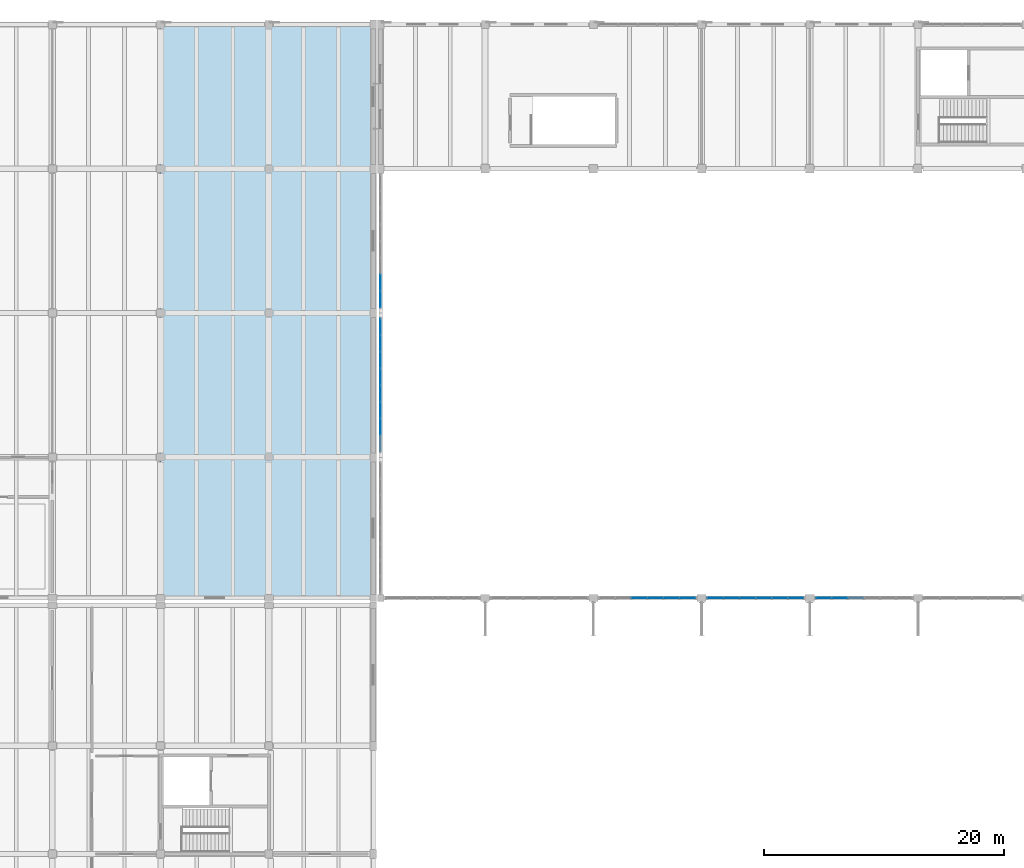
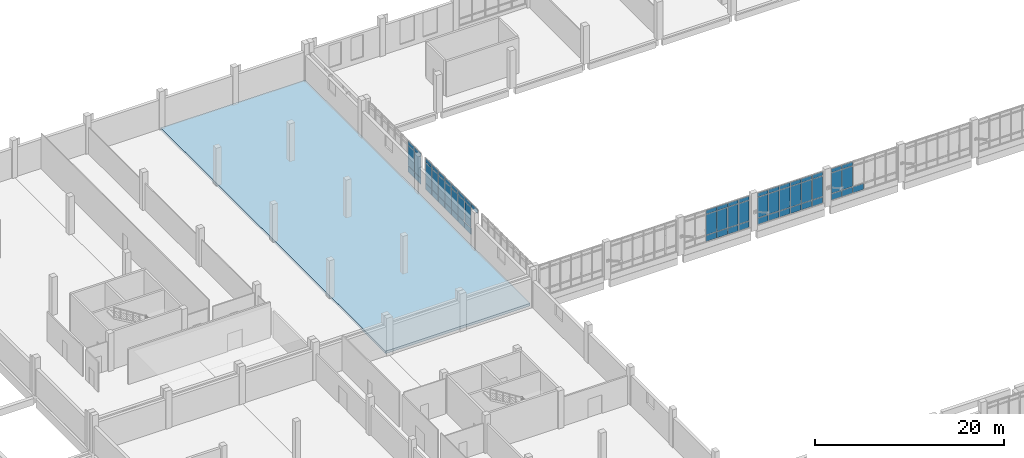
# One storey, part 60 of 110: 65 plates, 1 slab, 5 elements without a shape of their own.
"""IFC4 building model written with IfcOpenShell, lengths in metres."""

from ifc_helpers import new_model, si_unit, direction, frame, origin, origin_2d, place, context, subcontext, project, spatial, polyline, rectangle, outline, extrude, material, layer, layer_set, type_object, element, aggregate, save


model = new_model("IFC4")

# Units and contexts
model_context = context("Model", 3, precision=1e-05, world=origin(), true_north=direction((0.0, 1.0)))
body_context = subcontext(model_context, "Body", "Model", "MODEL_VIEW")
ifc_project = project(units=[si_unit("LENGTHUNIT", "METRE"), si_unit("AREAUNIT", "SQUARE_METRE"), si_unit("VOLUMEUNIT", "CUBIC_METRE"), si_unit("PLANEANGLEUNIT", "RADIAN"), si_unit("MASSUNIT", "GRAM", prefix="KILO")], contexts=[model_context])

# Site, building, storey
site_placement = place(None, origin())
site = spatial("IfcSite", under=ifc_project, at=site_placement, CompositionType="ELEMENT")
building_placement = place(site_placement, origin())
building = spatial("IfcBuilding", under=site, at=building_placement, Name="Zacnel Wholesale Market", CompositionType="ELEMENT")
storey_placement = place(building_placement, frame((0.0, 0.0, 6.300048828125)))
storey = spatial("IfcBuildingStorey", under=building, at=storey_placement, Name="L02", CompositionType="ELEMENT", Elevation=6.300048828125)

# Curtain wall, plates
ifc_material_1 = material(Name="Anodised aluminium", Category="aluminium")
ifc_layer_1 = layer(ifc_material_1, 0.159912109375)
ifc_layer_set_1 = layer_set([ifc_layer_1], Name="Anodised aluminium")
curtain_wall_type = type_object("IfcCurtainWallType", Name="CW-NAVE-4200", PredefinedType="NOTDEFINED", material=ifc_layer_set_1)
curtain_wall_1_placement = place(storey_placement, origin())
curtain_wall_1 = element("IfcCurtainWall", 1, at=curtain_wall_1_placement, inside=storey, type_object=curtain_wall_type, Name="Curtain wall ENV-R2-CW-L02-022", PredefinedType="NOTDEFINED")
ifc_material_2 = material(Name="Laminated hurricane-impact low-E insulated glass", Category="glass")
ifc_layer_2 = layer(ifc_material_2, 0.031982421875)
ifc_layer_set_2 = layer_set([ifc_layer_2], Name="Laminated hurricane-impact low-E insulated glass")
plate_type_1 = type_object("IfcPlateType", Name="CWP-PNL-02", PredefinedType="CURTAIN_PANEL", material=ifc_layer_set_2)
plate_1_placement = place(storey_placement, frame((93.83251953125, 96.300048828125, 1.330078125), z_axis=(0.0, 0.0, 1.0), x_axis=(1.0, 0.0, 0.0)))
plate_1 = element("IfcPlate", 2, at=plate_1_placement, type_object=plate_type_1, Name="ENV-R2-CW-L02-022 panel 3-2", PredefinedType="CURTAIN_PANEL", context=body_context, shape_type="SweptSolid", body=[
    extrude(rectangle(XDim=1.264892578125, YDim=0.031982421875, at=origin_2d()), origin(), (0.0, 0.0, 1.0), 2.639892578125),
])
plate_2_placement = place(storey_placement, frame((95.16748046875, 96.300048828125, 1.330078125), z_axis=(0.0, 0.0, 1.0), x_axis=(1.0, 0.0, 0.0)))
plate_2 = element("IfcPlate", 3, at=plate_2_placement, type_object=plate_type_1, Name="ENV-R2-CW-L02-022 panel 4-2", PredefinedType="CURTAIN_PANEL", context=body_context, shape_type="SweptSolid", body=[
    extrude(rectangle(XDim=1.264892578125, YDim=0.031982421875, at=origin_2d()), origin(), (0.0, 0.0, 1.0), 2.639892578125),
])
plate_3_placement = place(storey_placement, frame((96.50244140625, 96.300048828125, 1.330078125), z_axis=(0.0, 0.0, 1.0), x_axis=(1.0, 0.0, 0.0)))
plate_3 = element("IfcPlate", 4, at=plate_3_placement, type_object=plate_type_1, Name="ENV-R2-CW-L02-022 panel 5-2", PredefinedType="CURTAIN_PANEL", context=body_context, shape_type="SweptSolid", body=[
    extrude(rectangle(XDim=1.264892578125, YDim=0.031982421875, at=origin_2d()), origin(), (0.0, 0.0, 1.0), 2.639892578125),
])
plate_4_placement = place(storey_placement, frame((97.83740234375, 96.300048828125, 1.330078125), z_axis=(0.0, 0.0, 1.0), x_axis=(1.0, 0.0, 0.0)))
plate_4 = element("IfcPlate", 5, at=plate_4_placement, type_object=plate_type_1, Name="ENV-R2-CW-L02-022 panel 6-2", PredefinedType="CURTAIN_PANEL", context=body_context, shape_type="SweptSolid", body=[
    extrude(rectangle(XDim=1.264892578125, YDim=0.031982421875, at=origin_2d()), origin(), (0.0, 0.0, 1.0), 2.639892578125),
])

curtain_wall_2_placement = place(storey_placement, origin())
curtain_wall_2 = element("IfcCurtainWall", 6, at=curtain_wall_2_placement, inside=storey, type_object=curtain_wall_type, Name="Curtain wall ENV-R2-CW-L02-023", PredefinedType="NOTDEFINED")
plate_5_placement = place(storey_placement, frame((100.16259765625, 96.300048828125, 1.330078125), z_axis=(0.0, 0.0, 1.0), x_axis=(1.0, 0.0, 0.0)))
plate_5 = element("IfcPlate", 7, at=plate_5_placement, type_object=plate_type_1, Name="ENV-R2-CW-L02-023 panel 1-2", PredefinedType="CURTAIN_PANEL", context=body_context, shape_type="SweptSolid", body=[
    extrude(rectangle(XDim=1.264892578125, YDim=0.031982421875, at=origin_2d()), origin(), (0.0, 0.0, 1.0), 2.639892578125),
])
plate_6_placement = place(storey_placement, frame((101.49755859375, 96.300048828125, 1.330078125), z_axis=(0.0, 0.0, 1.0), x_axis=(1.0, 0.0, 0.0)))
plate_6 = element("IfcPlate", 8, at=plate_6_placement, type_object=plate_type_1, Name="ENV-R2-CW-L02-023 panel 2-2", PredefinedType="CURTAIN_PANEL", context=body_context, shape_type="SweptSolid", body=[
    extrude(rectangle(XDim=1.264892578125, YDim=0.031982421875, at=origin_2d()), origin(), (0.0, 0.0, 1.0), 2.639892578125),
])
plate_7_placement = place(storey_placement, frame((102.83251953125, 96.300048828125, 1.330078125), z_axis=(0.0, 0.0, 1.0), x_axis=(1.0, 0.0, 0.0)))
plate_7 = element("IfcPlate", 9, at=plate_7_placement, type_object=plate_type_1, Name="ENV-R2-CW-L02-023 panel 3-2", PredefinedType="CURTAIN_PANEL", context=body_context, shape_type="SweptSolid", body=[
    extrude(rectangle(XDim=1.264892578125, YDim=0.031982421875, at=origin_2d()), origin(), (0.0, 0.0, 1.0), 2.639892578125),
])
plate_8_placement = place(storey_placement, frame((104.16748046875, 96.300048828125, 1.330078125), z_axis=(0.0, 0.0, 1.0), x_axis=(1.0, 0.0, 0.0)))
plate_8 = element("IfcPlate", 10, at=plate_8_placement, type_object=plate_type_1, Name="ENV-R2-CW-L02-023 panel 4-2", PredefinedType="CURTAIN_PANEL", context=body_context, shape_type="SweptSolid", body=[
    extrude(rectangle(XDim=1.264892578125, YDim=0.031982421875, at=origin_2d()), origin(), (0.0, 0.0, 1.0), 2.639892578125),
])
plate_9_placement = place(storey_placement, frame((105.50244140625, 96.300048828125, 1.330078125), z_axis=(0.0, 0.0, 1.0), x_axis=(1.0, 0.0, 0.0)))
plate_9 = element("IfcPlate", 11, at=plate_9_placement, type_object=plate_type_1, Name="ENV-R2-CW-L02-023 panel 5-2", PredefinedType="CURTAIN_PANEL", context=body_context, shape_type="SweptSolid", body=[
    extrude(rectangle(XDim=1.264892578125, YDim=0.031982421875, at=origin_2d()), origin(), (0.0, 0.0, 1.0), 2.639892578125),
])
plate_10_placement = place(storey_placement, frame((106.83740234375, 96.300048828125, 1.330078125), z_axis=(0.0, 0.0, 1.0), x_axis=(1.0, 0.0, 0.0)))
plate_10 = element("IfcPlate", 12, at=plate_10_placement, type_object=plate_type_1, Name="ENV-R2-CW-L02-023 panel 6-2", PredefinedType="CURTAIN_PANEL", context=body_context, shape_type="SweptSolid", body=[
    extrude(rectangle(XDim=1.264892578125, YDim=0.031982421875, at=origin_2d()), origin(), (0.0, 0.0, 1.0), 2.639892578125),
])

curtain_wall_3_placement = place(storey_placement, origin())
curtain_wall_3 = element("IfcCurtainWall", 13, at=curtain_wall_3_placement, inside=storey, type_object=curtain_wall_type, Name="Curtain wall ENV-R2-CW-L02-024", PredefinedType="NOTDEFINED")
plate_11_placement = place(storey_placement, frame((109.16259765625, 96.300048828125, 1.330078125), z_axis=(0.0, 0.0, 1.0), x_axis=(1.0, 0.0, 0.0)))
plate_11 = element("IfcPlate", 14, at=plate_11_placement, type_object=plate_type_1, Name="ENV-R2-CW-L02-024 panel 1-2", PredefinedType="CURTAIN_PANEL", context=body_context, shape_type="SweptSolid", body=[
    extrude(rectangle(XDim=1.264892578125, YDim=0.031982421875, at=origin_2d()), origin(), (0.0, 0.0, 1.0), 2.639892578125),
])
plate_12_placement = place(storey_placement, frame((110.49755859375, 96.300048828125, 1.330078125), z_axis=(0.0, 0.0, 1.0), x_axis=(1.0, 0.0, 0.0)))
plate_12 = element("IfcPlate", 15, at=plate_12_placement, type_object=plate_type_1, Name="ENV-R2-CW-L02-024 panel 2-2", PredefinedType="CURTAIN_PANEL", context=body_context, shape_type="SweptSolid", body=[
    extrude(rectangle(XDim=1.264892578125, YDim=0.031982421875, at=origin_2d()), origin(), (0.0, 0.0, 1.0), 2.639892578125),
])

curtain_wall_4_placement = place(storey_placement, origin())
curtain_wall_4 = element("IfcCurtainWall", 16, at=curtain_wall_4_placement, inside=storey, type_object=curtain_wall_type, Name="Curtain wall ENV-R2-CW-L02-030", PredefinedType="NOTDEFINED")
plate_13_placement = place(storey_placement, frame((72.300048828125, 110.53125, 1.330078125), z_axis=(0.0, 0.0, 1.0), x_axis=(0.0, 1.0, 0.0)))
plate_13 = element("IfcPlate", 17, at=plate_13_placement, type_object=plate_type_1, Name="ENV-R2-CW-L02-030 panel 2-2", PredefinedType="CURTAIN_PANEL", context=body_context, shape_type="SweptSolid", body=[
    extrude(rectangle(XDim=1.3173828125, YDim=0.031982421875, at=origin_2d()), origin(), (0.0, 0.0, 1.0), 2.639892578125),
])
plate_14_placement = place(storey_placement, frame((72.300048828125, 111.918701171875, 1.330078125), z_axis=(0.0, 0.0, 1.0), x_axis=(0.0, 1.0, 0.0)))
plate_14 = element("IfcPlate", 18, at=plate_14_placement, type_object=plate_type_1, Name="ENV-R2-CW-L02-030 panel 3-2", PredefinedType="CURTAIN_PANEL", context=body_context, shape_type="SweptSolid", body=[
    extrude(rectangle(XDim=1.3173828125, YDim=0.031982421875, at=origin_2d()), origin(), (0.0, 0.0, 1.0), 2.639892578125),
])
plate_15_placement = place(storey_placement, frame((72.300048828125, 113.306396484375, 1.330078125), z_axis=(0.0, 0.0, 1.0), x_axis=(0.0, 1.0, 0.0)))
plate_15 = element("IfcPlate", 19, at=plate_15_placement, type_object=plate_type_1, Name="ENV-R2-CW-L02-030 panel 4-2", PredefinedType="CURTAIN_PANEL", context=body_context, shape_type="SweptSolid", body=[
    extrude(rectangle(XDim=1.3173828125, YDim=0.031982421875, at=origin_2d()), origin(), (0.0, 0.0, 1.0), 2.639892578125),
])
plate_16_placement = place(storey_placement, frame((72.300048828125, 114.693603515625, 1.330078125), z_axis=(0.0, 0.0, 1.0), x_axis=(0.0, 1.0, 0.0)))
plate_16 = element("IfcPlate", 20, at=plate_16_placement, type_object=plate_type_1, Name="ENV-R2-CW-L02-030 panel 5-2", PredefinedType="CURTAIN_PANEL", context=body_context, shape_type="SweptSolid", body=[
    extrude(rectangle(XDim=1.3173828125, YDim=0.031982421875, at=origin_2d()), origin(), (0.0, 0.0, 1.0), 2.639892578125),
])
plate_17_placement = place(storey_placement, frame((72.300048828125, 116.081298828125, 1.330078125), z_axis=(0.0, 0.0, 1.0), x_axis=(0.0, 1.0, 0.0)))
plate_17 = element("IfcPlate", 21, at=plate_17_placement, type_object=plate_type_1, Name="ENV-R2-CW-L02-030 panel 6-2", PredefinedType="CURTAIN_PANEL", context=body_context, shape_type="SweptSolid", body=[
    extrude(rectangle(XDim=1.3173828125, YDim=0.031982421875, at=origin_2d()), origin(), (0.0, 0.0, 1.0), 2.639892578125),
])
plate_18_placement = place(storey_placement, frame((72.300048828125, 117.46875, 1.330078125), z_axis=(0.0, 0.0, 1.0), x_axis=(0.0, 1.0, 0.0)))
plate_18 = element("IfcPlate", 22, at=plate_18_placement, type_object=plate_type_1, Name="ENV-R2-CW-L02-030 panel 7-2", PredefinedType="CURTAIN_PANEL", context=body_context, shape_type="SweptSolid", body=[
    extrude(rectangle(XDim=1.3173828125, YDim=0.031982421875, at=origin_2d()), origin(), (0.0, 0.0, 1.0), 2.639892578125),
])
plate_19_placement = place(storey_placement, frame((72.300048828125, 118.856201171875, 1.330078125), z_axis=(0.0, 0.0, 1.0), x_axis=(0.0, 1.0, 0.0)))
plate_19 = element("IfcPlate", 23, at=plate_19_placement, type_object=plate_type_1, Name="ENV-R2-CW-L02-030 panel 8-2", PredefinedType="CURTAIN_PANEL", context=body_context, shape_type="SweptSolid", body=[
    extrude(rectangle(XDim=1.3173828125, YDim=0.031982421875, at=origin_2d()), origin(), (0.0, 0.0, 1.0), 2.639892578125),
])

curtain_wall_5_placement = place(storey_placement, origin())
curtain_wall_5 = element("IfcCurtainWall", 24, at=curtain_wall_5_placement, inside=storey, type_object=curtain_wall_type, Name="Curtain wall ENV-R2-CW-L02-031", PredefinedType="NOTDEFINED")
plate_20_placement = place(storey_placement, frame((72.300048828125, 121.14111328125, 1.330078125), z_axis=(0.0, 0.0, 1.0), x_axis=(0.0, 1.0, 0.0)))
plate_20 = element("IfcPlate", 25, at=plate_20_placement, type_object=plate_type_1, Name="ENV-R2-CW-L02-031 panel 1-2", PredefinedType="CURTAIN_PANEL", context=body_context, shape_type="SweptSolid", body=[
    extrude(rectangle(XDim=1.31201171875, YDim=0.031982421875, at=origin_2d()), origin(), (0.0, 0.0, 1.0), 2.639892578125),
])
plate_21_placement = place(storey_placement, frame((72.300048828125, 122.52294921875, 1.330078125), z_axis=(0.0, 0.0, 1.0), x_axis=(0.0, 1.0, 0.0)))
plate_21 = element("IfcPlate", 26, at=plate_21_placement, type_object=plate_type_1, Name="ENV-R2-CW-L02-031 panel 2-2", PredefinedType="CURTAIN_PANEL", context=body_context, shape_type="SweptSolid", body=[
    extrude(rectangle(XDim=1.31201171875, YDim=0.031982421875, at=origin_2d()), origin(), (0.0, 0.0, 1.0), 2.639892578125),
])

# Plate
ifc_material_3 = material(Name="Anodised aluminium", Category="aluminium")
ifc_layer_3 = layer(ifc_material_3, 0.0400390625)
ifc_layer_set_3 = layer_set([ifc_layer_3], Name="Anodised aluminium")
plate_type_2 = type_object("IfcPlateType", Name="CWP-PNL-05", PredefinedType="CURTAIN_PANEL", material=ifc_layer_set_3)
plate_22_placement = place(storey_placement, frame((93.83251953125, 96.300048828125, 0.47998046875), z_axis=(0.0, 0.0, 1.0), x_axis=(1.0, 0.0, 0.0)))
plate_22 = element("IfcPlate", 27, at=plate_22_placement, type_object=plate_type_2, Name="ENV-R2-CW-L02-022 panel 3-1", PredefinedType="CURTAIN_PANEL", context=body_context, shape_type="SweptSolid", body=[
    extrude(rectangle(XDim=1.264892578125, YDim=0.0400390625, at=origin_2d()), origin(), (0.0, 0.0, 1.0), 0.7900390625),
])

plate_23_placement = place(storey_placement, frame((93.83251953125, 96.300048828125, 4.02978515625), z_axis=(0.0, 0.0, 1.0), x_axis=(1.0, 0.0, 0.0)))
plate_23 = element("IfcPlate", 28, at=plate_23_placement, type_object=plate_type_2, Name="ENV-R2-CW-L02-022 panel 3-3", PredefinedType="CURTAIN_PANEL", context=body_context, shape_type="SweptSolid", body=[
    extrude(rectangle(XDim=1.264892578125, YDim=0.0400390625, at=origin_2d()), origin(), (0.0, 0.0, 1.0), 0.489990234375),
])

plate_24_placement = place(storey_placement, frame((96.50244140625, 96.300048828125, 0.47998046875), z_axis=(0.0, 0.0, 1.0), x_axis=(1.0, 0.0, 0.0)))
plate_24 = element("IfcPlate", 29, at=plate_24_placement, type_object=plate_type_2, Name="ENV-R2-CW-L02-022 panel 5-1", PredefinedType="CURTAIN_PANEL", context=body_context, shape_type="SweptSolid", body=[
    extrude(rectangle(XDim=1.264892578125, YDim=0.0400390625, at=origin_2d()), origin(), (0.0, 0.0, 1.0), 0.7900390625),
])

plate_25_placement = place(storey_placement, frame((96.50244140625, 96.300048828125, 4.02978515625), z_axis=(0.0, 0.0, 1.0), x_axis=(1.0, 0.0, 0.0)))
plate_25 = element("IfcPlate", 30, at=plate_25_placement, type_object=plate_type_2, Name="ENV-R2-CW-L02-022 panel 5-3", PredefinedType="CURTAIN_PANEL", context=body_context, shape_type="SweptSolid", body=[
    extrude(rectangle(XDim=1.264892578125, YDim=0.0400390625, at=origin_2d()), origin(), (0.0, 0.0, 1.0), 0.489990234375),
])

plate_26_placement = place(storey_placement, frame((100.16259765625, 96.300048828125, 0.47998046875), z_axis=(0.0, 0.0, 1.0), x_axis=(1.0, 0.0, 0.0)))
plate_26 = element("IfcPlate", 31, at=plate_26_placement, type_object=plate_type_2, Name="ENV-R2-CW-L02-023 panel 1-1", PredefinedType="CURTAIN_PANEL", context=body_context, shape_type="SweptSolid", body=[
    extrude(rectangle(XDim=1.264892578125, YDim=0.0400390625, at=origin_2d()), origin(), (0.0, 0.0, 1.0), 0.7900390625),
])

plate_27_placement = place(storey_placement, frame((100.16259765625, 96.300048828125, 4.02978515625), z_axis=(0.0, 0.0, 1.0), x_axis=(1.0, 0.0, 0.0)))
plate_27 = element("IfcPlate", 32, at=plate_27_placement, type_object=plate_type_2, Name="ENV-R2-CW-L02-023 panel 1-3", PredefinedType="CURTAIN_PANEL", context=body_context, shape_type="SweptSolid", body=[
    extrude(rectangle(XDim=1.264892578125, YDim=0.0400390625, at=origin_2d()), origin(), (0.0, 0.0, 1.0), 0.489990234375),
])

plate_28_placement = place(storey_placement, frame((102.83251953125, 96.300048828125, 0.47998046875), z_axis=(0.0, 0.0, 1.0), x_axis=(1.0, 0.0, 0.0)))
plate_28 = element("IfcPlate", 33, at=plate_28_placement, type_object=plate_type_2, Name="ENV-R2-CW-L02-023 panel 3-1", PredefinedType="CURTAIN_PANEL", context=body_context, shape_type="SweptSolid", body=[
    extrude(rectangle(XDim=1.264892578125, YDim=0.0400390625, at=origin_2d()), origin(), (0.0, 0.0, 1.0), 0.7900390625),
])

plate_29_placement = place(storey_placement, frame((102.83251953125, 96.300048828125, 4.02978515625), z_axis=(0.0, 0.0, 1.0), x_axis=(1.0, 0.0, 0.0)))
plate_29 = element("IfcPlate", 34, at=plate_29_placement, type_object=plate_type_2, Name="ENV-R2-CW-L02-023 panel 3-3", PredefinedType="CURTAIN_PANEL", context=body_context, shape_type="SweptSolid", body=[
    extrude(rectangle(XDim=1.264892578125, YDim=0.0400390625, at=origin_2d()), origin(), (0.0, 0.0, 1.0), 0.489990234375),
])

plate_30_placement = place(storey_placement, frame((105.50244140625, 96.300048828125, 0.47998046875), z_axis=(0.0, 0.0, 1.0), x_axis=(1.0, 0.0, 0.0)))
plate_30 = element("IfcPlate", 35, at=plate_30_placement, type_object=plate_type_2, Name="ENV-R2-CW-L02-023 panel 5-1", PredefinedType="CURTAIN_PANEL", context=body_context, shape_type="SweptSolid", body=[
    extrude(rectangle(XDim=1.264892578125, YDim=0.0400390625, at=origin_2d()), origin(), (0.0, 0.0, 1.0), 0.7900390625),
])

plate_31_placement = place(storey_placement, frame((105.50244140625, 96.300048828125, 4.02978515625), z_axis=(0.0, 0.0, 1.0), x_axis=(1.0, 0.0, 0.0)))
plate_31 = element("IfcPlate", 36, at=plate_31_placement, type_object=plate_type_2, Name="ENV-R2-CW-L02-023 panel 5-3", PredefinedType="CURTAIN_PANEL", context=body_context, shape_type="SweptSolid", body=[
    extrude(rectangle(XDim=1.264892578125, YDim=0.0400390625, at=origin_2d()), origin(), (0.0, 0.0, 1.0), 0.489990234375),
])

plate_32_placement = place(storey_placement, frame((109.16259765625, 96.300048828125, 0.47998046875), z_axis=(0.0, 0.0, 1.0), x_axis=(1.0, 0.0, 0.0)))
plate_32 = element("IfcPlate", 37, at=plate_32_placement, type_object=plate_type_2, Name="ENV-R2-CW-L02-024 panel 1-1", PredefinedType="CURTAIN_PANEL", context=body_context, shape_type="SweptSolid", body=[
    extrude(rectangle(XDim=1.264892578125, YDim=0.0400390625, at=origin_2d()), origin(), (0.0, 0.0, 1.0), 0.7900390625),
])

plate_33_placement = place(storey_placement, frame((109.16259765625, 96.300048828125, 4.02978515625), z_axis=(0.0, 0.0, 1.0), x_axis=(1.0, 0.0, 0.0)))
plate_33 = element("IfcPlate", 38, at=plate_33_placement, type_object=plate_type_2, Name="ENV-R2-CW-L02-024 panel 1-3", PredefinedType="CURTAIN_PANEL", context=body_context, shape_type="SweptSolid", body=[
    extrude(rectangle(XDim=1.264892578125, YDim=0.0400390625, at=origin_2d()), origin(), (0.0, 0.0, 1.0), 0.489990234375),
])

plate_34_placement = place(storey_placement, frame((111.83251953125, 96.300048828125, 0.47998046875), z_axis=(0.0, 0.0, 1.0), x_axis=(1.0, 0.0, 0.0)))
plate_34 = element("IfcPlate", 39, at=plate_34_placement, type_object=plate_type_2, Name="ENV-R2-CW-L02-024 panel 3-1", PredefinedType="CURTAIN_PANEL", context=body_context, shape_type="SweptSolid", body=[
    extrude(rectangle(XDim=1.264892578125, YDim=0.0400390625, at=origin_2d()), origin(), (0.0, 0.0, 1.0), 0.7900390625),
])

plate_35_placement = place(storey_placement, frame((72.300048828125, 109.143798828125, 4.02978515625), z_axis=(0.0, 0.0, 1.0), x_axis=(0.0, 1.0, 0.0)))
plate_35 = element("IfcPlate", 40, at=plate_35_placement, type_object=plate_type_2, Name="ENV-R2-CW-L02-030 panel 1-3", PredefinedType="CURTAIN_PANEL", context=body_context, shape_type="SweptSolid", body=[
    extrude(rectangle(XDim=1.3173828125, YDim=0.0400390625, at=origin_2d()), origin(), (0.0, 0.0, 1.0), 0.489990234375),
])

plate_36_placement = place(storey_placement, frame((72.300048828125, 111.918701171875, 0.47998046875), z_axis=(0.0, 0.0, 1.0), x_axis=(0.0, 1.0, 0.0)))
plate_36 = element("IfcPlate", 41, at=plate_36_placement, type_object=plate_type_2, Name="ENV-R2-CW-L02-030 panel 3-1", PredefinedType="CURTAIN_PANEL", context=body_context, shape_type="SweptSolid", body=[
    extrude(rectangle(XDim=1.3173828125, YDim=0.0400390625, at=origin_2d()), origin(), (0.0, 0.0, 1.0), 0.7900390625),
])

plate_37_placement = place(storey_placement, frame((72.300048828125, 111.918701171875, 4.02978515625), z_axis=(0.0, 0.0, 1.0), x_axis=(0.0, 1.0, 0.0)))
plate_37 = element("IfcPlate", 42, at=plate_37_placement, type_object=plate_type_2, Name="ENV-R2-CW-L02-030 panel 3-3", PredefinedType="CURTAIN_PANEL", context=body_context, shape_type="SweptSolid", body=[
    extrude(rectangle(XDim=1.3173828125, YDim=0.0400390625, at=origin_2d()), origin(), (0.0, 0.0, 1.0), 0.489990234375),
])

plate_38_placement = place(storey_placement, frame((72.300048828125, 114.693603515625, 0.47998046875), z_axis=(0.0, 0.0, 1.0), x_axis=(0.0, 1.0, 0.0)))
plate_38 = element("IfcPlate", 43, at=plate_38_placement, type_object=plate_type_2, Name="ENV-R2-CW-L02-030 panel 5-1", PredefinedType="CURTAIN_PANEL", context=body_context, shape_type="SweptSolid", body=[
    extrude(rectangle(XDim=1.3173828125, YDim=0.0400390625, at=origin_2d()), origin(), (0.0, 0.0, 1.0), 0.7900390625),
])

plate_39_placement = place(storey_placement, frame((72.300048828125, 114.693603515625, 4.02978515625), z_axis=(0.0, 0.0, 1.0), x_axis=(0.0, 1.0, 0.0)))
plate_39 = element("IfcPlate", 44, at=plate_39_placement, type_object=plate_type_2, Name="ENV-R2-CW-L02-030 panel 5-3", PredefinedType="CURTAIN_PANEL", context=body_context, shape_type="SweptSolid", body=[
    extrude(rectangle(XDim=1.3173828125, YDim=0.0400390625, at=origin_2d()), origin(), (0.0, 0.0, 1.0), 0.489990234375),
])

plate_40_placement = place(storey_placement, frame((72.300048828125, 117.46875, 0.47998046875), z_axis=(0.0, 0.0, 1.0), x_axis=(0.0, 1.0, 0.0)))
plate_40 = element("IfcPlate", 45, at=plate_40_placement, type_object=plate_type_2, Name="ENV-R2-CW-L02-030 panel 7-1", PredefinedType="CURTAIN_PANEL", context=body_context, shape_type="SweptSolid", body=[
    extrude(rectangle(XDim=1.3173828125, YDim=0.0400390625, at=origin_2d()), origin(), (0.0, 0.0, 1.0), 0.7900390625),
])

plate_41_placement = place(storey_placement, frame((72.300048828125, 117.46875, 4.02978515625), z_axis=(0.0, 0.0, 1.0), x_axis=(0.0, 1.0, 0.0)))
plate_41 = element("IfcPlate", 46, at=plate_41_placement, type_object=plate_type_2, Name="ENV-R2-CW-L02-030 panel 7-3", PredefinedType="CURTAIN_PANEL", context=body_context, shape_type="SweptSolid", body=[
    extrude(rectangle(XDim=1.3173828125, YDim=0.0400390625, at=origin_2d()), origin(), (0.0, 0.0, 1.0), 0.489990234375),
])

plate_42_placement = place(storey_placement, frame((72.300048828125, 121.14111328125, 0.47998046875), z_axis=(0.0, 0.0, 1.0), x_axis=(0.0, 1.0, 0.0)))
plate_42 = element("IfcPlate", 47, at=plate_42_placement, type_object=plate_type_2, Name="ENV-R2-CW-L02-031 panel 1-1", PredefinedType="CURTAIN_PANEL", context=body_context, shape_type="SweptSolid", body=[
    extrude(rectangle(XDim=1.31201171875, YDim=0.0400390625, at=origin_2d()), origin(), (0.0, 0.0, 1.0), 0.7900390625),
])

plate_43_placement = place(storey_placement, frame((72.300048828125, 121.14111328125, 4.02978515625), z_axis=(0.0, 0.0, 1.0), x_axis=(0.0, 1.0, 0.0)))
plate_43 = element("IfcPlate", 48, at=plate_43_placement, type_object=plate_type_2, Name="ENV-R2-CW-L02-031 panel 1-3", PredefinedType="CURTAIN_PANEL", context=body_context, shape_type="SweptSolid", body=[
    extrude(rectangle(XDim=1.31201171875, YDim=0.0400390625, at=origin_2d()), origin(), (0.0, 0.0, 1.0), 0.489990234375),
])

ifc_material_4 = material(Name="Honed Yucatan Maya cream limestone", Category="masonry")
ifc_layer_4 = layer(ifc_material_4, 0.044921875)
ifc_layer_set_4 = layer_set([ifc_layer_4], Name="Honed Yucatan Maya cream limestone")
plate_type_3 = type_object("IfcPlateType", Name="CWP-PNL-06", PredefinedType="CURTAIN_PANEL", material=ifc_layer_set_4)
plate_44_placement = place(storey_placement, frame((95.16748046875, 96.300048828125, 0.47998046875), z_axis=(0.0, 0.0, 1.0), x_axis=(1.0, 0.0, 0.0)))
plate_44 = element("IfcPlate", 49, at=plate_44_placement, type_object=plate_type_3, Name="ENV-R2-CW-L02-022 panel 4-1", PredefinedType="CURTAIN_PANEL", context=body_context, shape_type="SweptSolid", body=[
    extrude(rectangle(XDim=1.264892578125, YDim=0.044921875, at=origin_2d()), origin(), (0.0, 0.0, 1.0), 0.7900390625),
])

plate_45_placement = place(storey_placement, frame((95.16748046875, 96.300048828125, 4.02978515625), z_axis=(0.0, 0.0, 1.0), x_axis=(1.0, 0.0, 0.0)))
plate_45 = element("IfcPlate", 50, at=plate_45_placement, type_object=plate_type_3, Name="ENV-R2-CW-L02-022 panel 4-3", PredefinedType="CURTAIN_PANEL", context=body_context, shape_type="SweptSolid", body=[
    extrude(rectangle(XDim=1.264892578125, YDim=0.044921875, at=origin_2d()), origin(), (0.0, 0.0, 1.0), 0.489990234375),
])

plate_46_placement = place(storey_placement, frame((97.83740234375, 96.300048828125, 0.47998046875), z_axis=(0.0, 0.0, 1.0), x_axis=(1.0, 0.0, 0.0)))
plate_46 = element("IfcPlate", 51, at=plate_46_placement, type_object=plate_type_3, Name="ENV-R2-CW-L02-022 panel 6-1", PredefinedType="CURTAIN_PANEL", context=body_context, shape_type="SweptSolid", body=[
    extrude(rectangle(XDim=1.264892578125, YDim=0.044921875, at=origin_2d()), origin(), (0.0, 0.0, 1.0), 0.7900390625),
])

plate_47_placement = place(storey_placement, frame((97.83740234375, 96.300048828125, 4.02978515625), z_axis=(0.0, 0.0, 1.0), x_axis=(1.0, 0.0, 0.0)))
plate_47 = element("IfcPlate", 52, at=plate_47_placement, type_object=plate_type_3, Name="ENV-R2-CW-L02-022 panel 6-3", PredefinedType="CURTAIN_PANEL", context=body_context, shape_type="SweptSolid", body=[
    extrude(rectangle(XDim=1.264892578125, YDim=0.044921875, at=origin_2d()), origin(), (0.0, 0.0, 1.0), 0.489990234375),
])

aggregate(curtain_wall_1, [plate_22, plate_1, plate_23, plate_44, plate_2, plate_45, plate_24, plate_3, plate_25, plate_46, plate_4, plate_47])

plate_48_placement = place(storey_placement, frame((101.49755859375, 96.300048828125, 0.47998046875), z_axis=(0.0, 0.0, 1.0), x_axis=(1.0, 0.0, 0.0)))
plate_48 = element("IfcPlate", 53, at=plate_48_placement, type_object=plate_type_3, Name="ENV-R2-CW-L02-023 panel 2-1", PredefinedType="CURTAIN_PANEL", context=body_context, shape_type="SweptSolid", body=[
    extrude(rectangle(XDim=1.264892578125, YDim=0.044921875, at=origin_2d()), origin(), (0.0, 0.0, 1.0), 0.7900390625),
])

plate_49_placement = place(storey_placement, frame((101.49755859375, 96.300048828125, 4.02978515625), z_axis=(0.0, 0.0, 1.0), x_axis=(1.0, 0.0, 0.0)))
plate_49 = element("IfcPlate", 54, at=plate_49_placement, type_object=plate_type_3, Name="ENV-R2-CW-L02-023 panel 2-3", PredefinedType="CURTAIN_PANEL", context=body_context, shape_type="SweptSolid", body=[
    extrude(rectangle(XDim=1.264892578125, YDim=0.044921875, at=origin_2d()), origin(), (0.0, 0.0, 1.0), 0.489990234375),
])

plate_50_placement = place(storey_placement, frame((104.16748046875, 96.300048828125, 0.47998046875), z_axis=(0.0, 0.0, 1.0), x_axis=(1.0, 0.0, 0.0)))
plate_50 = element("IfcPlate", 55, at=plate_50_placement, type_object=plate_type_3, Name="ENV-R2-CW-L02-023 panel 4-1", PredefinedType="CURTAIN_PANEL", context=body_context, shape_type="SweptSolid", body=[
    extrude(rectangle(XDim=1.264892578125, YDim=0.044921875, at=origin_2d()), origin(), (0.0, 0.0, 1.0), 0.7900390625),
])

plate_51_placement = place(storey_placement, frame((104.16748046875, 96.300048828125, 4.02978515625), z_axis=(0.0, 0.0, 1.0), x_axis=(1.0, 0.0, 0.0)))
plate_51 = element("IfcPlate", 56, at=plate_51_placement, type_object=plate_type_3, Name="ENV-R2-CW-L02-023 panel 4-3", PredefinedType="CURTAIN_PANEL", context=body_context, shape_type="SweptSolid", body=[
    extrude(rectangle(XDim=1.264892578125, YDim=0.044921875, at=origin_2d()), origin(), (0.0, 0.0, 1.0), 0.489990234375),
])

plate_52_placement = place(storey_placement, frame((106.83740234375, 96.300048828125, 0.47998046875), z_axis=(0.0, 0.0, 1.0), x_axis=(1.0, 0.0, 0.0)))
plate_52 = element("IfcPlate", 57, at=plate_52_placement, type_object=plate_type_3, Name="ENV-R2-CW-L02-023 panel 6-1", PredefinedType="CURTAIN_PANEL", context=body_context, shape_type="SweptSolid", body=[
    extrude(rectangle(XDim=1.264892578125, YDim=0.044921875, at=origin_2d()), origin(), (0.0, 0.0, 1.0), 0.7900390625),
])

plate_53_placement = place(storey_placement, frame((106.83740234375, 96.300048828125, 4.02978515625), z_axis=(0.0, 0.0, 1.0), x_axis=(1.0, 0.0, 0.0)))
plate_53 = element("IfcPlate", 58, at=plate_53_placement, type_object=plate_type_3, Name="ENV-R2-CW-L02-023 panel 6-3", PredefinedType="CURTAIN_PANEL", context=body_context, shape_type="SweptSolid", body=[
    extrude(rectangle(XDim=1.264892578125, YDim=0.044921875, at=origin_2d()), origin(), (0.0, 0.0, 1.0), 0.489990234375),
])

aggregate(curtain_wall_2, [plate_26, plate_5, plate_27, plate_48, plate_6, plate_49, plate_28, plate_7, plate_29, plate_50, plate_8, plate_51, plate_30, plate_9, plate_31, plate_52, plate_10, plate_53])

plate_54_placement = place(storey_placement, frame((110.49755859375, 96.300048828125, 0.47998046875), z_axis=(0.0, 0.0, 1.0), x_axis=(1.0, 0.0, 0.0)))
plate_54 = element("IfcPlate", 59, at=plate_54_placement, type_object=plate_type_3, Name="ENV-R2-CW-L02-024 panel 2-1", PredefinedType="CURTAIN_PANEL", context=body_context, shape_type="SweptSolid", body=[
    extrude(rectangle(XDim=1.264892578125, YDim=0.044921875, at=origin_2d()), origin(), (0.0, 0.0, 1.0), 0.7900390625),
])

plate_55_placement = place(storey_placement, frame((110.49755859375, 96.300048828125, 4.02978515625), z_axis=(0.0, 0.0, 1.0), x_axis=(1.0, 0.0, 0.0)))
plate_55 = element("IfcPlate", 60, at=plate_55_placement, type_object=plate_type_3, Name="ENV-R2-CW-L02-024 panel 2-3", PredefinedType="CURTAIN_PANEL", context=body_context, shape_type="SweptSolid", body=[
    extrude(rectangle(XDim=1.264892578125, YDim=0.044921875, at=origin_2d()), origin(), (0.0, 0.0, 1.0), 0.489990234375),
])

aggregate(curtain_wall_3, [plate_32, plate_11, plate_33, plate_54, plate_12, plate_55, plate_34])

plate_56_placement = place(storey_placement, frame((72.300048828125, 110.53125, 0.47998046875), z_axis=(0.0, 0.0, 1.0), x_axis=(0.0, 1.0, 0.0)))
plate_56 = element("IfcPlate", 61, at=plate_56_placement, type_object=plate_type_3, Name="ENV-R2-CW-L02-030 panel 2-1", PredefinedType="CURTAIN_PANEL", context=body_context, shape_type="SweptSolid", body=[
    extrude(rectangle(XDim=1.3173828125, YDim=0.044921875, at=origin_2d()), origin(), (0.0, 0.0, 1.0), 0.7900390625),
])

plate_57_placement = place(storey_placement, frame((72.300048828125, 110.53125, 4.02978515625), z_axis=(0.0, 0.0, 1.0), x_axis=(0.0, 1.0, 0.0)))
plate_57 = element("IfcPlate", 62, at=plate_57_placement, type_object=plate_type_3, Name="ENV-R2-CW-L02-030 panel 2-3", PredefinedType="CURTAIN_PANEL", context=body_context, shape_type="SweptSolid", body=[
    extrude(rectangle(XDim=1.3173828125, YDim=0.044921875, at=origin_2d()), origin(), (0.0, 0.0, 1.0), 0.489990234375),
])

plate_58_placement = place(storey_placement, frame((72.300048828125, 113.306396484375, 0.47998046875), z_axis=(0.0, 0.0, 1.0), x_axis=(0.0, 1.0, 0.0)))
plate_58 = element("IfcPlate", 63, at=plate_58_placement, type_object=plate_type_3, Name="ENV-R2-CW-L02-030 panel 4-1", PredefinedType="CURTAIN_PANEL", context=body_context, shape_type="SweptSolid", body=[
    extrude(rectangle(XDim=1.3173828125, YDim=0.044921875, at=origin_2d()), origin(), (0.0, 0.0, 1.0), 0.7900390625),
])

plate_59_placement = place(storey_placement, frame((72.300048828125, 113.306396484375, 4.02978515625), z_axis=(0.0, 0.0, 1.0), x_axis=(0.0, 1.0, 0.0)))
plate_59 = element("IfcPlate", 64, at=plate_59_placement, type_object=plate_type_3, Name="ENV-R2-CW-L02-030 panel 4-3", PredefinedType="CURTAIN_PANEL", context=body_context, shape_type="SweptSolid", body=[
    extrude(rectangle(XDim=1.3173828125, YDim=0.044921875, at=origin_2d()), origin(), (0.0, 0.0, 1.0), 0.489990234375),
])

plate_60_placement = place(storey_placement, frame((72.300048828125, 116.081298828125, 0.47998046875), z_axis=(0.0, 0.0, 1.0), x_axis=(0.0, 1.0, 0.0)))
plate_60 = element("IfcPlate", 65, at=plate_60_placement, type_object=plate_type_3, Name="ENV-R2-CW-L02-030 panel 6-1", PredefinedType="CURTAIN_PANEL", context=body_context, shape_type="SweptSolid", body=[
    extrude(rectangle(XDim=1.3173828125, YDim=0.044921875, at=origin_2d()), origin(), (0.0, 0.0, 1.0), 0.7900390625),
])

plate_61_placement = place(storey_placement, frame((72.300048828125, 116.081298828125, 4.02978515625), z_axis=(0.0, 0.0, 1.0), x_axis=(0.0, 1.0, 0.0)))
plate_61 = element("IfcPlate", 66, at=plate_61_placement, type_object=plate_type_3, Name="ENV-R2-CW-L02-030 panel 6-3", PredefinedType="CURTAIN_PANEL", context=body_context, shape_type="SweptSolid", body=[
    extrude(rectangle(XDim=1.3173828125, YDim=0.044921875, at=origin_2d()), origin(), (0.0, 0.0, 1.0), 0.489990234375),
])

plate_62_placement = place(storey_placement, frame((72.300048828125, 118.856201171875, 0.47998046875), z_axis=(0.0, 0.0, 1.0), x_axis=(0.0, 1.0, 0.0)))
plate_62 = element("IfcPlate", 67, at=plate_62_placement, type_object=plate_type_3, Name="ENV-R2-CW-L02-030 panel 8-1", PredefinedType="CURTAIN_PANEL", context=body_context, shape_type="SweptSolid", body=[
    extrude(rectangle(XDim=1.3173828125, YDim=0.044921875, at=origin_2d()), origin(), (0.0, 0.0, 1.0), 0.7900390625),
])

plate_63_placement = place(storey_placement, frame((72.300048828125, 118.856201171875, 4.02978515625), z_axis=(0.0, 0.0, 1.0), x_axis=(0.0, 1.0, 0.0)))
plate_63 = element("IfcPlate", 68, at=plate_63_placement, type_object=plate_type_3, Name="ENV-R2-CW-L02-030 panel 8-3", PredefinedType="CURTAIN_PANEL", context=body_context, shape_type="SweptSolid", body=[
    extrude(rectangle(XDim=1.3173828125, YDim=0.044921875, at=origin_2d()), origin(), (0.0, 0.0, 1.0), 0.489990234375),
])

aggregate(curtain_wall_4, [plate_35, plate_56, plate_13, plate_57, plate_36, plate_14, plate_37, plate_58, plate_15, plate_59, plate_38, plate_16, plate_39, plate_60, plate_17, plate_61, plate_40, plate_18, plate_41, plate_62, plate_19, plate_63])

plate_64_placement = place(storey_placement, frame((72.300048828125, 122.52294921875, 0.47998046875), z_axis=(0.0, 0.0, 1.0), x_axis=(0.0, 1.0, 0.0)))
plate_64 = element("IfcPlate", 69, at=plate_64_placement, type_object=plate_type_3, Name="ENV-R2-CW-L02-031 panel 2-1", PredefinedType="CURTAIN_PANEL", context=body_context, shape_type="SweptSolid", body=[
    extrude(rectangle(XDim=1.31201171875, YDim=0.044921875, at=origin_2d()), origin(), (0.0, 0.0, 1.0), 0.7900390625),
])

plate_65_placement = place(storey_placement, frame((72.300048828125, 122.52294921875, 4.02978515625), z_axis=(0.0, 0.0, 1.0), x_axis=(0.0, 1.0, 0.0)))
plate_65 = element("IfcPlate", 70, at=plate_65_placement, type_object=plate_type_3, Name="ENV-R2-CW-L02-031 panel 2-3", PredefinedType="CURTAIN_PANEL", context=body_context, shape_type="SweptSolid", body=[
    extrude(rectangle(XDim=1.31201171875, YDim=0.044921875, at=origin_2d()), origin(), (0.0, 0.0, 1.0), 0.489990234375),
])

aggregate(curtain_wall_5, [plate_42, plate_20, plate_43, plate_64, plate_21, plate_65])

# Slab
ifc_material_5 = material(Name="Precast concrete C45/55", Category="concrete")
ifc_layer_5 = layer(ifc_material_5, 0.320068359375)
ifc_layer_set_5 = layer_set([ifc_layer_5], Name="Precast concrete C45/55")
slab_type = type_object("IfcSlabType", Name="SLB-FLR-320", PredefinedType="FLOOR", material=ifc_layer_set_5)
slab_placement = place(storey_placement, frame((0.0, 0.0, -0.320068359375)))
element("IfcSlab", 71, at=slab_placement, inside=storey, type_object=slab_type, Name="Structural slab SLB-L02-V3-N-P3", PredefinedType="FLOOR", context=body_context, shape_type="SweptSolid", body=[
    extrude(outline(polyline([(71.699951171875, 96.300048828125), (54.0, 96.300048828125), (54.0, 144.0), (71.699951171875, 144.0), (71.699951171875, 96.300048828125)])), origin(), (0.0, 0.0, 1.0), 0.320068359375),
])

save(model, "model.ifc")
